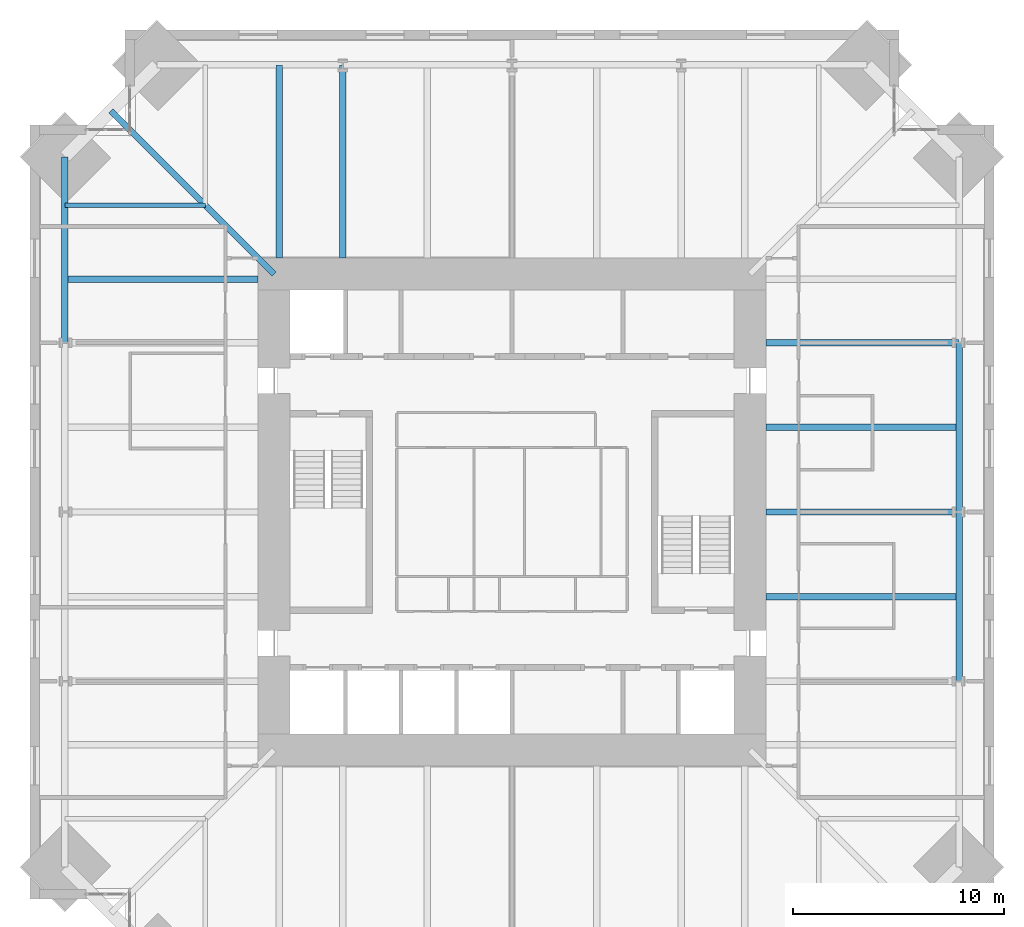
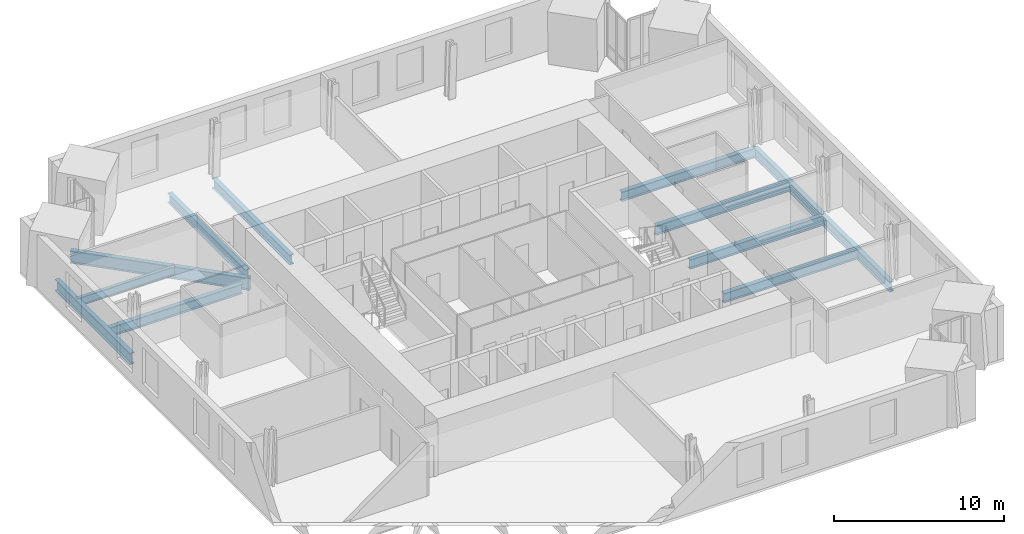
# One storey, part 5 of 15: 12 beams.
"""IFC4 building model written with IfcOpenShell, lengths in metres."""

from ifc_helpers import new_model, si_unit, direction, frame, origin, origin_2d, place, context, subcontext, project, spatial, i_section, extrude, material, material_profile, profile_set, type_object, element, save


model = new_model("IFC4")

# Units and contexts
model_context = context("Model", 3, precision=1e-05, world=origin(), true_north=direction((0.0, 1.0)))
body_context = subcontext(model_context, "Body", "Model", "MODEL_VIEW")
ifc_project = project(units=[si_unit("LENGTHUNIT", "METRE"), si_unit("AREAUNIT", "SQUARE_METRE"), si_unit("VOLUMEUNIT", "CUBIC_METRE"), si_unit("PLANEANGLEUNIT", "RADIAN"), si_unit("MASSUNIT", "GRAM", prefix="KILO")], contexts=[model_context])

# Site, building, storey
site_placement = place(None, origin())
site = spatial("IfcSite", under=ifc_project, at=site_placement, CompositionType="ELEMENT")
building_placement = place(site_placement, origin())
building = spatial("IfcBuilding", under=site, at=building_placement, Name="Peilmerk Tower", CompositionType="ELEMENT")
storey_placement = place(building_placement, frame((0.0, 0.0, 241.800048828125)))
storey = spatial("IfcBuildingStorey", under=building, at=storey_placement, Name="L53", CompositionType="ELEMENT", Elevation=241.800048828125)

# Beams
ifc_material = material(Name="Steel S355", Category="steel")
ifc_material_profile_1 = material_profile(ifc_material, i_section(OverallWidth=0.219970703125, OverallDepth=0.60009765625, WebThickness=0.011962890625, FlangeThickness=0.01904296875, at=origin_2d()), Name="IPE 600")
ifc_profile_set_1 = profile_set([ifc_material_profile_1], Name="Steel S355")
beam_type_1 = type_object("IfcBeamType", Name="B10 IPE 600 floor beam", PredefinedType="BEAM", material=ifc_profile_set_1)
beam_1_placement = place(storey_placement, frame((-14.5, 14.5, -0.469970703125), z_axis=(-1.0, 0.0, 0.0), x_axis=(0.0, -1.0, 0.0)))
element("IfcBeam", 1, at=beam_1_placement, inside=storey, type_object=beam_type_1, Name="Floor beam L53", PredefinedType="BEAM", context=body_context, shape_type="SweptSolid", body=[
    extrude(i_section(OverallWidth=0.219970703125, OverallDepth=0.60009765625, WebThickness=0.011962890625, FlangeThickness=0.01904296875, at=origin_2d()), origin(), (0.0, 0.0, 1.0), 6.646728515625),
])
ifc_material_profile_2 = material_profile(ifc_material, i_section(OverallWidth=0.302978515625, OverallDepth=0.81396484375, WebThickness=0.02099609375, FlangeThickness=0.0400390625, at=origin_2d()), Name="HEM 800")
ifc_profile_set_2 = profile_set([ifc_material_profile_2], Name="Steel S355")
beam_type_2 = type_object("IfcBeamType", Name="B15 HEM 800 edge beam", PredefinedType="SPANDREL", material=ifc_profile_set_2)
beam_2_placement = place(storey_placement, frame((-21.146728515625, 16.796875, -0.5771484375), z_axis=(0.0, -1.0, 0.0), x_axis=(1.0, 0.0, 0.0)))
element("IfcBeam", 2, at=beam_2_placement, inside=storey, type_object=beam_type_2, Name="Edge beam L53", PredefinedType="SPANDREL", context=body_context, shape_type="SweptSolid", body=[
    extrude(i_section(OverallWidth=0.302978515625, OverallDepth=0.81396484375, WebThickness=0.02099609375, FlangeThickness=0.0400390625, at=origin_2d()), origin(), (0.0, 0.0, 1.0), 8.796875),
])
ifc_material_profile_3 = material_profile(ifc_material, i_section(OverallWidth=0.300048828125, OverallDepth=0.68994140625, WebThickness=0.014404296875, FlangeThickness=0.027099609375, at=origin_2d()), Name="HEA 700")
ifc_profile_set_3 = profile_set([ifc_material_profile_3], Name="Steel S355")
beam_type_3 = type_object("IfcBeamType", Name="B16 HEA 700 floor beam", PredefinedType="BEAM", material=ifc_profile_set_3)
for number, where, z_axis, x_axis, name in (
    (3, (-8.0, 12.0, -0.51513671875), (0.0, 1.0, 0.0), (-1.0, 0.0, 0.0), "Floor beam L53"),
    (4, (-11.0, 12.0, -0.51513671875), (0.0, 1.0, 0.0), (-1.0, 0.0, 0.0), "Floor beam L53"),
    (5, (12.0, -4.0, -0.51513671875), (1.0, 0.0, 0.0), (0.0, 1.0, 0.0), "Floor beam L53"),
    (6, (12.0, 0.0, -0.51513671875), (1.0, 0.0, 0.0), (0.0, 1.0, 0.0), "Floor beam L53"),
    (7, (12.0, 4.0, -0.51513671875), (1.0, 0.0, 0.0), (0.0, 1.0, 0.0), "Floor beam L53"),
    (8, (12.0, 8.0, -0.51513671875), (1.0, 0.0, 0.0), (0.0, 1.0, 0.0), "Floor beam L53"),
    (9, (-12.0, 11.0, -0.51513671875), (-1.0, 0.0, 0.0), (0.0, -1.0, 0.0), "Floor beam L53"),
):
    element("IfcBeam", number, at=place(storey_placement, frame(where, z_axis=z_axis, x_axis=x_axis)), inside=storey, type_object=beam_type_3, Name=name, PredefinedType="BEAM", context=body_context, shape_type="SweptSolid", body=[
        extrude(i_section(OverallWidth=0.300048828125, OverallDepth=0.68994140625, WebThickness=0.014404296875, FlangeThickness=0.027099609375, at=origin_2d()), origin(), (0.0, 0.0, 1.0), 9.146728515625),
    ])
ifc_material_profile_4 = material_profile(ifc_material, i_section(OverallWidth=0.303955078125, OverallDepth=0.716064453125, WebThickness=0.02099609375, FlangeThickness=0.0400390625, at=origin_2d()), Name="HEM 700")
ifc_profile_set_4 = profile_set([ifc_material_profile_4], Name="Steel S355")
beam_type_4 = type_object("IfcBeamType", Name="B30 HEM 700 edge beam", PredefinedType="SPANDREL", material=ifc_profile_set_4)
for number, where, z_axis, x_axis, name in (
    (10, (21.146728515625, -8.0, -0.528076171875), (0.0, 1.0, 0.0), (-1.0, 0.0, 0.0), "Edge beam L53"),
    (11, (21.146728515625, 0.0, -0.528076171875), (0.0, 1.0, 0.0), (-1.0, 0.0, 0.0), "Edge beam L53"),
):
    element("IfcBeam", number, at=place(storey_placement, frame(where, z_axis=z_axis, x_axis=x_axis)), inside=storey, type_object=beam_type_4, Name=name, PredefinedType="SPANDREL", context=body_context, shape_type="SweptSolid", body=[
        extrude(i_section(OverallWidth=0.303955078125, OverallDepth=0.716064453125, WebThickness=0.02099609375, FlangeThickness=0.0400390625, at=origin_2d()), origin(), (0.0, 0.0, 1.0), 8.0),
    ])
ifc_material_profile_5 = material_profile(ifc_material, i_section(OverallWidth=0.300048828125, OverallDepth=0.889892578125, WebThickness=0.01611328125, FlangeThickness=0.030029296875, at=origin_2d()), Name="HEA 900")
ifc_profile_set_5 = profile_set([ifc_material_profile_5], Name="Steel S355")
beam_type_5 = type_object("IfcBeamType", Name="B4 HEA 900 floor beam", PredefinedType="BEAM", material=ifc_profile_set_5)
beam_3_placement = place(storey_placement, frame((-11.25, 11.25, -0.614990234375), z_axis=(-0.707106781187, 0.707106781187, 0.0), x_axis=(-0.707106781187, -0.707106781187, 0.0)))
element("IfcBeam", 12, at=beam_3_placement, inside=storey, type_object=beam_type_5, Name="Corner girder L53", PredefinedType="BEAM", context=body_context, shape_type="SweptSolid", body=[
    extrude(i_section(OverallWidth=0.300048828125, OverallDepth=0.889892578125, WebThickness=0.01611328125, FlangeThickness=0.030029296875, at=origin_2d()), origin(), (0.0, 0.0, 1.0), 10.920166015625),
])

save(model, "model.ifc")
